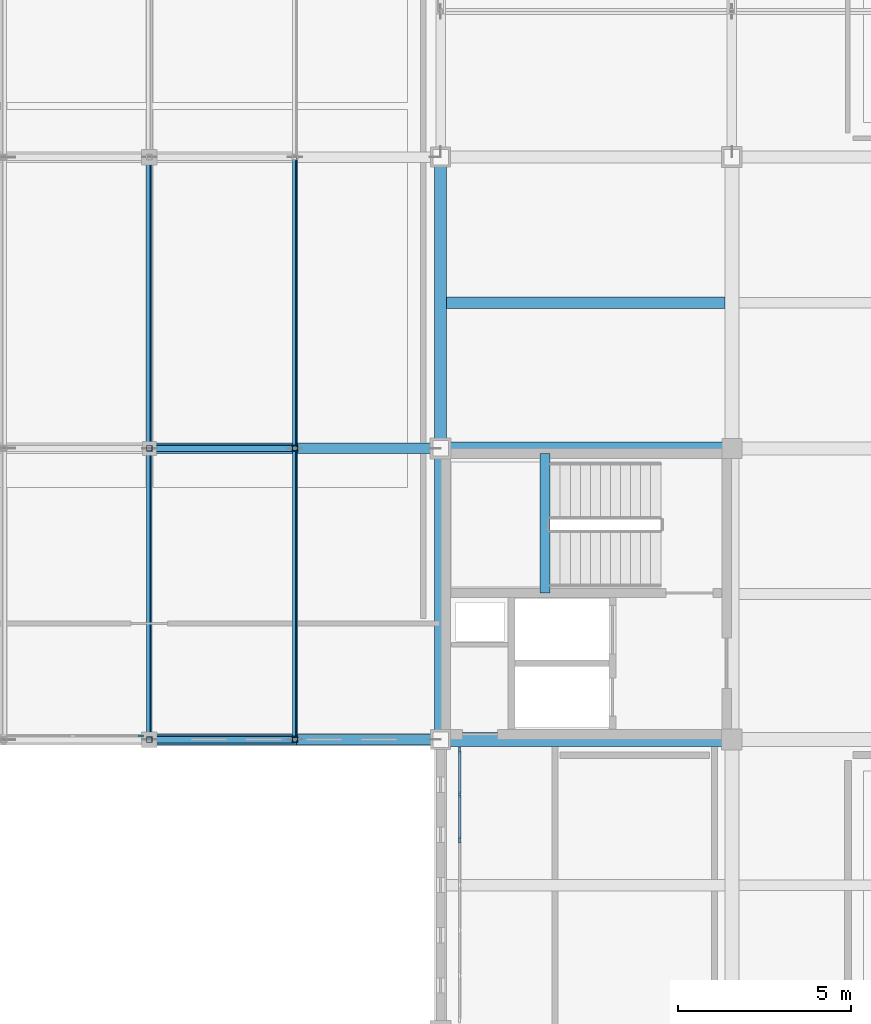
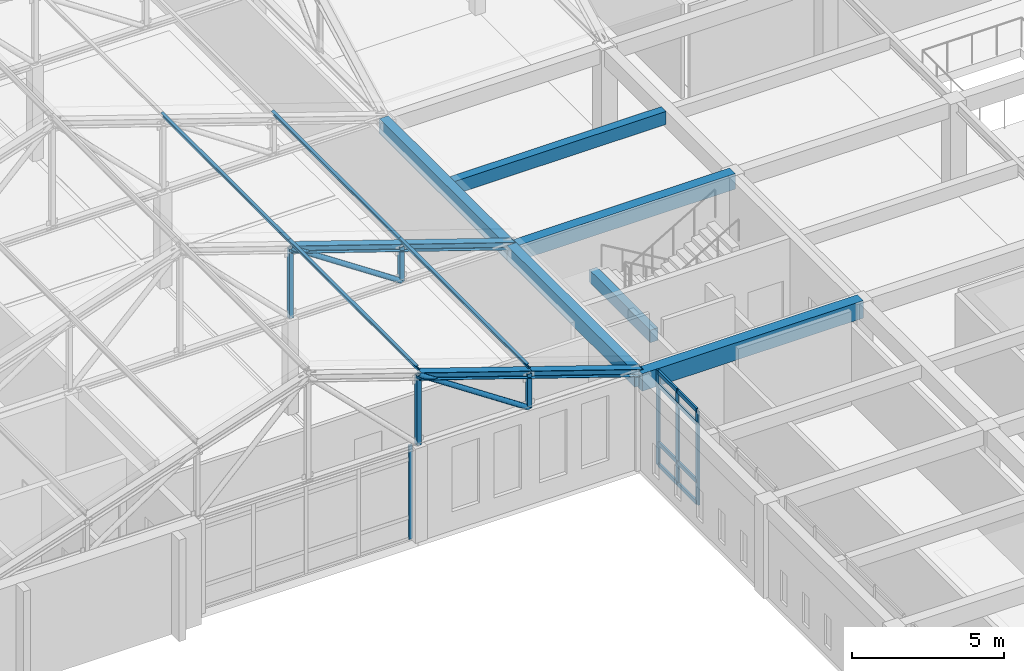
# One storey, part 13 of 56: 26 members, 6 beams, 2 elements without a shape of their own.
"""IFC4 building model written with IfcOpenShell, lengths in metres."""

from ifc_helpers import new_model, si_unit, direction, frame, origin, origin_2d, place, context, subcontext, project, spatial, rectangle, hollow_rectangle, hollow_circle, i_section, extrude, material, layer, layer_set, material_profile, profile_set, type_object, element, aggregate, save


model = new_model("IFC4")

# Units and contexts
model_context = context("Model", 3, precision=1e-05, world=origin(), true_north=direction((0.0, 1.0)))
body_context = subcontext(model_context, "Body", "Model", "MODEL_VIEW")
ifc_project = project(units=[si_unit("LENGTHUNIT", "METRE"), si_unit("AREAUNIT", "SQUARE_METRE"), si_unit("VOLUMEUNIT", "CUBIC_METRE"), si_unit("PLANEANGLEUNIT", "RADIAN"), si_unit("MASSUNIT", "GRAM", prefix="KILO")], contexts=[model_context])

# Site, building, storey
site_placement = place(None, origin())
site = spatial("IfcSite", under=ifc_project, at=site_placement, CompositionType="ELEMENT")
building_placement = place(site_placement, origin())
building = spatial("IfcBuilding", under=site, at=building_placement, Name="Kveldsbrygga Polytechnic", CompositionType="ELEMENT")
storey_placement = place(building_placement, frame((0.0, 0.0, 18.02001953125)))
storey = spatial("IfcBuildingStorey", under=building, at=storey_placement, Name="L04", CompositionType="ELEMENT", Elevation=18.02001953125)

# Beams
ifc_material_1 = material(Name="Concrete C35/45", Category="concrete")
ifc_material_profile_1 = material_profile(ifc_material_1, rectangle(XDim=0.3798828125, YDim=0.6201171875, at=origin_2d()), Name="RC 380x620")
ifc_profile_set_1 = profile_set([ifc_material_profile_1], Name="Concrete C35/45")
beam_type_1 = type_object("IfcBeamType", Name="BM-RC-380x620", PredefinedType="BEAM", material=ifc_profile_set_1)
beam_1_placement = place(storey_placement, frame((126.0, 92.39990234375, 3.469970703125), z_axis=(1.0, 0.0, 0.0), x_axis=(0.0, 1.0, 0.0)))
element("IfcBeam", 1, at=beam_1_placement, inside=storey, type_object=beam_type_1, Name="Primary Beam BMX-L04-15to16-11", PredefinedType="BEAM", context=body_context, shape_type="SweptSolid", body=[
    extrude(rectangle(XDim=0.3798828125, YDim=0.6201171875, at=origin_2d()), origin(), (0.0, 0.0, 1.0), 8.39990234375),
])
ifc_material_profile_2 = material_profile(ifc_material_1, rectangle(XDim=0.39990234375, YDim=0.699951171875, at=origin_2d()), Name="RC 400x700")
ifc_profile_set_2 = profile_set([ifc_material_profile_2], Name="Concrete C35/45")
beam_type_2 = type_object("IfcBeamType", Name="BM-RC-400x700", PredefinedType="BEAM", material=ifc_profile_set_2)
beam_2_placement = place(storey_placement, frame((126.0, 84.0, 3.429931640625), z_axis=(1.0, 0.0, 0.0), x_axis=(0.0, 1.0, 0.0)))
element("IfcBeam", 2, at=beam_2_placement, inside=storey, type_object=beam_type_2, Name="Primary Beam BMX-L04-15to16-10", PredefinedType="BEAM", context=body_context, shape_type="SweptSolid", body=[
    extrude(rectangle(XDim=0.39990234375, YDim=0.699951171875, at=origin_2d()), origin(), (0.0, 0.0, 1.0), 8.39990234375),
])
ifc_material_profile_3 = material_profile(ifc_material_1, rectangle(XDim=0.35009765625, YDim=0.60009765625, at=origin_2d()), Name="RC 350x600")
ifc_profile_set_3 = profile_set([ifc_material_profile_3], Name="Concrete C35/45")
beam_type_3 = type_object("IfcBeamType", Name="BM-SPANDREL-600", PredefinedType="T_BEAM", material=ifc_profile_set_3)
beam_3_placement = place(storey_placement, frame((126.0, 84.0, 3.47998046875), z_axis=(0.0, 1.0, 0.0), x_axis=(-1.0, 0.0, 0.0)))
element("IfcBeam", 3, at=beam_3_placement, inside=storey, type_object=beam_type_3, Name="Primary Beam BMY-L04-15-10to11", PredefinedType="T_BEAM", context=body_context, shape_type="SweptSolid", body=[
    extrude(rectangle(XDim=0.35009765625, YDim=0.60009765625, at=origin_2d()), origin(), (0.0, 0.0, 1.0), 8.39990234375),
])
beam_4_placement = place(storey_placement, frame((126.0, 92.39990234375, 3.47998046875), z_axis=(0.0, 1.0, 0.0), x_axis=(-1.0, 0.0, 0.0)))
element("IfcBeam", 4, at=beam_4_placement, inside=storey, type_object=beam_type_3, Name="Primary Beam BMY-L04-15-11to12", PredefinedType="T_BEAM", context=body_context, shape_type="SweptSolid", body=[
    extrude(rectangle(XDim=0.35009765625, YDim=0.60009765625, at=origin_2d()), origin(), (0.0, 0.0, 1.0), 8.400146484375),
])

# Curtain wall, member
ifc_material_2 = material(Name="Anodised aluminium AW-6060", Category="aluminium")
ifc_layer_1 = layer(ifc_material_2, 0.199951171875)
ifc_layer_set_1 = layer_set([ifc_layer_1], Name="Anodised aluminium AW-6060")
curtain_wall_type_1 = type_object("IfcCurtainWallType", Name="CW-LANC-E", PredefinedType="USERDEFINED", material=ifc_layer_set_1)
curtain_wall_1_placement = place(storey_placement, origin())
curtain_wall_1 = element("IfcCurtainWall", 5, at=curtain_wall_1_placement, inside=storey, type_object=curtain_wall_type_1, Name="Curtain Wall CW-L04-X-13-10", ObjectType="UNITISED CURTAIN WALL", PredefinedType="USERDEFINED")
ifc_material_profile_4 = material_profile(ifc_material_2, rectangle(XDim=0.06005859375, YDim=0.139892578125, at=origin_2d()), Name="ALU 60x140")
ifc_profile_set_4 = profile_set([ifc_material_profile_4], Name="Anodised aluminium AW-6060")
member_type_1 = type_object("IfcMemberType", Name="CW-MUL-140", PredefinedType="MULLION", material=ifc_profile_set_4)
member_1_placement = place(storey_placement, frame((117.360107421875, 84.10009765625, 0.0), z_axis=(0.0, 0.0, 1.0), x_axis=(0.0, 1.0, 0.0)))
member_1 = element("IfcMember", 6, at=member_1_placement, type_object=member_type_1, Name="CW-05 mullion 5", PredefinedType="MULLION", context=body_context, shape_type="SweptSolid", body=[
    extrude(rectangle(XDim=0.06005859375, YDim=0.139892578125, at=origin_2d()), origin(), (0.0, 0.0, 1.0), 3.780029296875),
])
aggregate(curtain_wall_1, [member_1])

# Curtain wall, members
ifc_layer_2 = layer(ifc_material_2, 0.169921875)
ifc_layer_set_2 = layer_set([ifc_layer_2], Name="Anodised aluminium AW-6060")
curtain_wall_type_2 = type_object("IfcCurtainWallType", Name="CW-FOYR-F", PredefinedType="USERDEFINED", material=ifc_layer_set_2)
curtain_wall_2_placement = place(storey_placement, origin())
curtain_wall_2 = element("IfcCurtainWall", 7, at=curtain_wall_2_placement, inside=storey, type_object=curtain_wall_type_2, Name="Curtain Wall CW-L04-Y-15-09", ObjectType="STICK CURTAIN WALL", PredefinedType="USERDEFINED")
ifc_material_profile_5 = material_profile(ifc_material_2, rectangle(XDim=0.06005859375, YDim=0.179931640625, at=origin_2d()), Name="ALU 60x180")
ifc_profile_set_5 = profile_set([ifc_material_profile_5], Name="Anodised aluminium AW-6060")
member_type_2 = type_object("IfcMemberType", Name="CW-MUL-180", PredefinedType="MULLION", material=ifc_profile_set_5)
member_2_placement = place(storey_placement, frame((126.550048828125, 81.111572265625, 0.0), z_axis=(0.0, 0.0, 1.0), x_axis=(-1.0, 0.0, 0.0)))
member_2 = element("IfcMember", 8, at=member_2_placement, type_object=member_type_2, Name="CW-06 mullion 5", PredefinedType="MULLION", context=body_context, shape_type="SweptSolid", body=[
    extrude(rectangle(XDim=0.06005859375, YDim=0.179931640625, at=origin_2d()), origin(), (0.0, 0.0, 1.0), 3.780029296875),
])
member_3_placement = place(storey_placement, frame((126.550048828125, 82.418212890625, 0.0), z_axis=(0.0, 0.0, 1.0), x_axis=(-1.0, 0.0, 0.0)))
member_3 = element("IfcMember", 9, at=member_3_placement, type_object=member_type_2, Name="CW-06 mullion 6", PredefinedType="MULLION", context=body_context, shape_type="SweptSolid", body=[
    extrude(rectangle(XDim=0.06005859375, YDim=0.179931640625, at=origin_2d()), origin(), (0.0, 0.0, 1.0), 3.780029296875),
])
member_4_placement = place(storey_placement, frame((126.550048828125, 83.695068359375, 0.0), z_axis=(0.0, 0.0, 1.0), x_axis=(-1.0, 0.0, 0.0)))
member_4 = element("IfcMember", 10, at=member_4_placement, type_object=member_type_2, Name="CW-06 mullion 7", PredefinedType="MULLION", context=body_context, shape_type="SweptSolid", body=[
    extrude(rectangle(XDim=0.06005859375, YDim=0.179931640625, at=origin_2d()), origin(), (0.0, 0.0, 1.0), 3.780029296875),
])
ifc_material_profile_6 = material_profile(ifc_material_2, rectangle(XDim=0.074951171875, YDim=0.159912109375, at=origin_2d()), Name="ALU 75x160")
ifc_profile_set_6 = profile_set([ifc_material_profile_6], Name="Anodised aluminium AW-6060")
member_type_3 = type_object("IfcMemberType", Name="CW-TRN-160", PredefinedType="USERDEFINED", material=ifc_profile_set_6)
member_5_placement = place(storey_placement, frame((126.550048828125, 81.1416015625, 0.03759765625), z_axis=(0.0, 1.0, 0.0), x_axis=(-1.0, 0.0, 0.0)))
member_5 = element("IfcMember", 11, at=member_5_placement, type_object=member_type_3, Name="CW-06 transom 5.1", ObjectType="TRANSOM", PredefinedType="USERDEFINED", context=body_context, shape_type="SweptSolid", body=[
    extrude(rectangle(XDim=0.074951171875, YDim=0.159912109375, at=origin_2d()), origin(), (0.0, 0.0, 1.0), 1.246826171875),
])
member_6_placement = place(storey_placement, frame((126.550048828125, 81.1416015625, 0.89990234375), z_axis=(0.0, 1.0, 0.0), x_axis=(-1.0, 0.0, 0.0)))
member_6 = element("IfcMember", 12, at=member_6_placement, type_object=member_type_3, Name="CW-06 transom 5.2", ObjectType="TRANSOM", PredefinedType="USERDEFINED", context=body_context, shape_type="SweptSolid", body=[
    extrude(rectangle(XDim=0.074951171875, YDim=0.159912109375, at=origin_2d()), origin(), (0.0, 0.0, 1.0), 1.246826171875),
])
member_7_placement = place(storey_placement, frame((126.550048828125, 81.1416015625, 3.22998046875), z_axis=(0.0, 1.0, 0.0), x_axis=(-1.0, 0.0, 0.0)))
member_7 = element("IfcMember", 13, at=member_7_placement, type_object=member_type_3, Name="CW-06 transom 5.3", ObjectType="TRANSOM", PredefinedType="USERDEFINED", context=body_context, shape_type="SweptSolid", body=[
    extrude(rectangle(XDim=0.074951171875, YDim=0.159912109375, at=origin_2d()), origin(), (0.0, 0.0, 1.0), 1.246826171875),
])
member_8_placement = place(storey_placement, frame((126.550048828125, 81.1416015625, 3.742431640625), z_axis=(0.0, 1.0, 0.0), x_axis=(-1.0, 0.0, 0.0)))
member_8 = element("IfcMember", 14, at=member_8_placement, type_object=member_type_3, Name="CW-06 transom 5.4", ObjectType="TRANSOM", PredefinedType="USERDEFINED", context=body_context, shape_type="SweptSolid", body=[
    extrude(rectangle(XDim=0.074951171875, YDim=0.159912109375, at=origin_2d()), origin(), (0.0, 0.0, 1.0), 1.246826171875),
])
member_9_placement = place(storey_placement, frame((126.550048828125, 82.4482421875, 0.03759765625), z_axis=(0.0, 1.0, 0.0), x_axis=(-1.0, 0.0, 0.0)))
member_9 = element("IfcMember", 15, at=member_9_placement, type_object=member_type_3, Name="CW-06 transom 6.1", ObjectType="TRANSOM", PredefinedType="USERDEFINED", context=body_context, shape_type="SweptSolid", body=[
    extrude(rectangle(XDim=0.074951171875, YDim=0.159912109375, at=origin_2d()), origin(), (0.0, 0.0, 1.0), 1.216796875),
])
member_10_placement = place(storey_placement, frame((126.550048828125, 82.4482421875, 0.89990234375), z_axis=(0.0, 1.0, 0.0), x_axis=(-1.0, 0.0, 0.0)))
member_10 = element("IfcMember", 16, at=member_10_placement, type_object=member_type_3, Name="CW-06 transom 6.2", ObjectType="TRANSOM", PredefinedType="USERDEFINED", context=body_context, shape_type="SweptSolid", body=[
    extrude(rectangle(XDim=0.074951171875, YDim=0.159912109375, at=origin_2d()), origin(), (0.0, 0.0, 1.0), 1.216796875),
])
member_11_placement = place(storey_placement, frame((126.550048828125, 82.4482421875, 3.22998046875), z_axis=(0.0, 1.0, 0.0), x_axis=(-1.0, 0.0, 0.0)))
member_11 = element("IfcMember", 17, at=member_11_placement, type_object=member_type_3, Name="CW-06 transom 6.3", ObjectType="TRANSOM", PredefinedType="USERDEFINED", context=body_context, shape_type="SweptSolid", body=[
    extrude(rectangle(XDim=0.074951171875, YDim=0.159912109375, at=origin_2d()), origin(), (0.0, 0.0, 1.0), 1.216796875),
])
member_12_placement = place(storey_placement, frame((126.550048828125, 82.4482421875, 3.742431640625), z_axis=(0.0, 1.0, 0.0), x_axis=(-1.0, 0.0, 0.0)))
member_12 = element("IfcMember", 18, at=member_12_placement, type_object=member_type_3, Name="CW-06 transom 6.4", ObjectType="TRANSOM", PredefinedType="USERDEFINED", context=body_context, shape_type="SweptSolid", body=[
    extrude(rectangle(XDim=0.074951171875, YDim=0.159912109375, at=origin_2d()), origin(), (0.0, 0.0, 1.0), 1.216796875),
])
aggregate(curtain_wall_2, [member_2, member_3, member_4, member_5, member_6, member_7, member_8, member_9, member_10, member_11, member_12])

# Beams
ifc_material_profile_7 = material_profile(ifc_material_1, rectangle(XDim=0.320068359375, YDim=0.52001953125, at=origin_2d()), Name="RC 320x520")
ifc_profile_set_7 = profile_set([ifc_material_profile_7], Name="Concrete C35/45")
beam_type_4 = type_object("IfcBeamType", Name="JST-RC-320x520", PredefinedType="JOIST", material=ifc_profile_set_7)
beam_5_placement = place(storey_placement, frame((126.175048828125, 96.60009765625, 3.52001953125), z_axis=(1.0, 0.0, 0.0), x_axis=(0.0, 1.0, 0.0)))
element("IfcBeam", 19, at=beam_5_placement, inside=storey, type_object=beam_type_4, Name="Secondary Joist JST-L04-15-11", PredefinedType="JOIST", context=body_context, shape_type="SweptSolid", body=[
    extrude(rectangle(XDim=0.320068359375, YDim=0.52001953125, at=origin_2d()), origin(), (0.0, 0.0, 1.0), 8.02490234375),
])
ifc_material_profile_8 = material_profile(ifc_material_1, rectangle(XDim=0.300048828125, YDim=0.5, at=origin_2d()), Name="RC 300x500")
ifc_profile_set_8 = profile_set([ifc_material_profile_8], Name="Concrete C35/45")
beam_type_5 = type_object("IfcBeamType", Name="LNT-RC-300x500", PredefinedType="LINTEL", material=ifc_profile_set_8)
beam_6_placement = place(storey_placement, frame((129.010009765625, 88.22998046875, 1.590087890625), z_axis=(0.0, 1.0, 0.0), x_axis=(-1.0, 0.0, 0.0)))
element("IfcBeam", 20, at=beam_6_placement, inside=storey, type_object=beam_type_5, Name="Stair Landing Support Beam C2-L04-LNDB-1-1", PredefinedType="LINTEL", context=body_context, shape_type="SweptSolid", body=[
    extrude(rectangle(XDim=0.300048828125, YDim=0.5, at=origin_2d()), origin(), (0.0, 0.0, 1.0), 4.02001953125),
])

# Members
ifc_material_3 = material(Name="Steel S355", Category="steel")
ifc_material_profile_9 = material_profile(ifc_material_3, i_section(OverallWidth=0.10009765625, OverallDepth=0.199951171875, WebThickness=0.005615234375, FlangeThickness=0.008544921875, FilletRadius=0.011962890625, at=origin_2d()), Name="IPE 200")
ifc_profile_set_9 = profile_set([ifc_material_profile_9], Name="Steel S355")
member_type_4 = type_object("IfcMemberType", Name="PRL-IPE200", PredefinedType="PURLIN", material=ifc_profile_set_9)
for number, where, z_axis, x_axis, name in (
    (21, (117.60009765625, 84.0, 6.838134765625), (0.0, 1.0, 0.0), (-0.948683567514, 0.0, -0.316226957624), "Roof Purlin V4NE5-PRL-1-4"),
    (22, (121.800048828125, 84.0, 5.438232421875), (0.0, 1.0, 0.0), (-0.948683567514, 0.0, -0.316226957624), "Roof Purlin V4NE5-PRL-1-5"),
):
    element("IfcMember", number, at=place(storey_placement, frame(where, z_axis=z_axis, x_axis=x_axis)), inside=storey, type_object=member_type_4, Name=name, PredefinedType="PURLIN", context=body_context, shape_type="SweptSolid", body=[
        extrude(i_section(OverallWidth=0.10009765625, OverallDepth=0.199951171875, WebThickness=0.005615234375, FlangeThickness=0.008544921875, FilletRadius=0.011962890625, at=origin_2d()), origin(), (0.0, 0.0, 1.0), 8.39990234375),
    ])
for number, where, z_axis, x_axis, name in (
    (23, (117.60009765625, 92.39990234375, 6.838134765625), (0.0, 1.0, 0.0), (-0.948683567514, 0.0, -0.316226957624), "Roof Purlin V4NE5-PRL-2-4"),
    (24, (121.800048828125, 92.39990234375, 5.438232421875), (0.0, 1.0, 0.0), (-0.948683567514, 0.0, -0.316226957624), "Roof Purlin V4NE5-PRL-2-5"),
):
    element("IfcMember", number, at=place(storey_placement, frame(where, z_axis=z_axis, x_axis=x_axis)), inside=storey, type_object=member_type_4, Name=name, PredefinedType="PURLIN", context=body_context, shape_type="SweptSolid", body=[
        extrude(i_section(OverallWidth=0.10009765625, OverallDepth=0.199951171875, WebThickness=0.005615234375, FlangeThickness=0.008544921875, FilletRadius=0.011962890625, at=origin_2d()), origin(), (0.0, 0.0, 1.0), 8.400146484375),
    ])
ifc_material_profile_10 = material_profile(ifc_material_3, hollow_circle(Radius=0.096923828125, WallThickness=0.010009765625, at=origin_2d()), Name="CHS 193.7x10.0")
ifc_profile_set_10 = profile_set([ifc_material_profile_10], Name="Steel S355")
member_type_5 = type_object("IfcMemberType", Name="TR-DIAG-CHS194", PredefinedType="BRACE", material=ifc_profile_set_10)
for number, where, z_axis, x_axis, name in (
    (25, (117.60009765625, 84.0, 6.580078125), (0.832042853317, 0.0, -0.554711357594), (0.0, 1.0, 0.0), "Truss Diagonal V4NE5-T01-DG-5"),
    (26, (117.60009765625, 92.39990234375, 6.580078125), (0.832042853317, 0.0, -0.554711357594), (0.0, 1.0, 0.0), "Truss Diagonal V4NE5-T02-DG-5"),
):
    element("IfcMember", number, at=place(storey_placement, frame(where, z_axis=z_axis, x_axis=x_axis)), inside=storey, type_object=member_type_5, Name=name, PredefinedType="BRACE", context=body_context, shape_type="SweptSolid", body=[
        extrude(hollow_circle(Radius=0.096923828125, WallThickness=0.010009765625, at=origin_2d()), origin(), (0.0, 0.0, 1.0), 5.0478515625),
    ])
ifc_material_profile_11 = material_profile(ifc_material_3, hollow_rectangle(XDim=0.159912109375, YDim=0.159912109375, WallThickness=0.010009765625, at=origin_2d()), Name="SHS 160x160x10.0")
ifc_profile_set_11 = profile_set([ifc_material_profile_11], Name="Steel S355")
member_type_6 = type_object("IfcMemberType", Name="TR-POST-SHS160", PredefinedType="STRUT", material=ifc_profile_set_11)
member_13_placement = place(storey_placement, frame((117.60009765625, 84.0, 3.780029296875), z_axis=(0.0, 0.0, 1.0), x_axis=(1.0, 0.0, 0.0)))
element("IfcMember", 27, at=member_13_placement, inside=storey, type_object=member_type_6, Name="Truss Vertical V4NE5-T01-VT-4", PredefinedType="STRUT", context=body_context, shape_type="SweptSolid", body=[
    extrude(hollow_rectangle(XDim=0.159912109375, YDim=0.159912109375, WallThickness=0.010009765625, at=origin_2d()), origin(), (0.0, 0.0, 1.0), 2.800048828125),
])
member_14_placement = place(storey_placement, frame((121.800048828125, 84.0, 3.780029296875), z_axis=(0.0, 0.0, 1.0), x_axis=(1.0, 0.0, 0.0)))
element("IfcMember", 28, at=member_14_placement, inside=storey, type_object=member_type_6, Name="Truss Vertical V4NE5-T01-VT-5", PredefinedType="STRUT", context=body_context, shape_type="SweptSolid", body=[
    extrude(hollow_rectangle(XDim=0.159912109375, YDim=0.159912109375, WallThickness=0.010009765625, at=origin_2d()), origin(), (0.0, 0.0, 1.0), 1.39990234375),
])
member_15_placement = place(storey_placement, frame((117.60009765625, 92.39990234375, 3.780029296875), z_axis=(0.0, 0.0, 1.0), x_axis=(1.0, 0.0, 0.0)))
element("IfcMember", 29, at=member_15_placement, inside=storey, type_object=member_type_6, Name="Truss Vertical V4NE5-T02-VT-4", PredefinedType="STRUT", context=body_context, shape_type="SweptSolid", body=[
    extrude(hollow_rectangle(XDim=0.159912109375, YDim=0.159912109375, WallThickness=0.010009765625, at=origin_2d()), origin(), (0.0, 0.0, 1.0), 2.800048828125),
])
member_16_placement = place(storey_placement, frame((121.800048828125, 92.39990234375, 3.780029296875), z_axis=(0.0, 0.0, 1.0), x_axis=(1.0, 0.0, 0.0)))
element("IfcMember", 30, at=member_16_placement, inside=storey, type_object=member_type_6, Name="Truss Vertical V4NE5-T02-VT-5", PredefinedType="STRUT", context=body_context, shape_type="SweptSolid", body=[
    extrude(hollow_rectangle(XDim=0.159912109375, YDim=0.159912109375, WallThickness=0.010009765625, at=origin_2d()), origin(), (0.0, 0.0, 1.0), 1.39990234375),
])
ifc_material_profile_12 = material_profile(ifc_material_3, i_section(OverallWidth=0.300048828125, OverallDepth=0.2900390625, WebThickness=0.008544921875, FlangeThickness=0.013916015625, FilletRadius=0.027099609375, at=origin_2d()), Name="HEA 300")
ifc_profile_set_12 = profile_set([ifc_material_profile_12], Name="Steel S355")
member_type_7 = type_object("IfcMemberType", Name="TR-TOP-HEA300", PredefinedType="CHORD", material=ifc_profile_set_12)
member_17_placement = place(storey_placement, frame((117.60009765625, 84.0, 6.580078125), z_axis=(0.948672268324, 0.0, -0.316260853272), x_axis=(0.0, 1.0, 0.0)))
element("IfcMember", 31, at=member_17_placement, inside=storey, type_object=member_type_7, Name="Truss Top Chord V4NE5-T01-TC-5", PredefinedType="CHORD", context=body_context, shape_type="SweptSolid", body=[
    extrude(i_section(OverallWidth=0.300048828125, OverallDepth=0.2900390625, WebThickness=0.008544921875, FlangeThickness=0.013916015625, FilletRadius=0.027099609375, at=origin_2d()), origin(), (0.0, 0.0, 1.0), 4.42724609375),
])
member_18_placement = place(storey_placement, frame((121.800048828125, 84.0, 5.179931640625), z_axis=(0.948688812577, 0.0, -0.316211221956), x_axis=(0.0, 1.0, 0.0)))
element("IfcMember", 32, at=member_18_placement, inside=storey, type_object=member_type_7, Name="Truss Top Chord V4NE5-T01-TC-6", PredefinedType="CHORD", context=body_context, shape_type="SweptSolid", body=[
    extrude(i_section(OverallWidth=0.300048828125, OverallDepth=0.2900390625, WebThickness=0.008544921875, FlangeThickness=0.013916015625, FilletRadius=0.027099609375, at=origin_2d()), origin(), (0.0, 0.0, 1.0), 4.427001953125),
])
member_19_placement = place(storey_placement, frame((117.60009765625, 92.39990234375, 6.580078125), z_axis=(0.948672268324, 0.0, -0.316260853272), x_axis=(0.0, 1.0, 0.0)))
element("IfcMember", 33, at=member_19_placement, inside=storey, type_object=member_type_7, Name="Truss Top Chord V4NE5-T02-TC-5", PredefinedType="CHORD", context=body_context, shape_type="SweptSolid", body=[
    extrude(i_section(OverallWidth=0.300048828125, OverallDepth=0.2900390625, WebThickness=0.008544921875, FlangeThickness=0.013916015625, FilletRadius=0.027099609375, at=origin_2d()), origin(), (0.0, 0.0, 1.0), 4.42724609375),
])
member_20_placement = place(storey_placement, frame((121.800048828125, 92.39990234375, 5.179931640625), z_axis=(0.948688812577, 0.0, -0.316211221956), x_axis=(0.0, 1.0, 0.0)))
element("IfcMember", 34, at=member_20_placement, inside=storey, type_object=member_type_7, Name="Truss Top Chord V4NE5-T02-TC-6", PredefinedType="CHORD", context=body_context, shape_type="SweptSolid", body=[
    extrude(i_section(OverallWidth=0.300048828125, OverallDepth=0.2900390625, WebThickness=0.008544921875, FlangeThickness=0.013916015625, FilletRadius=0.027099609375, at=origin_2d()), origin(), (0.0, 0.0, 1.0), 4.427001953125),
])

save(model, "model.ifc")
